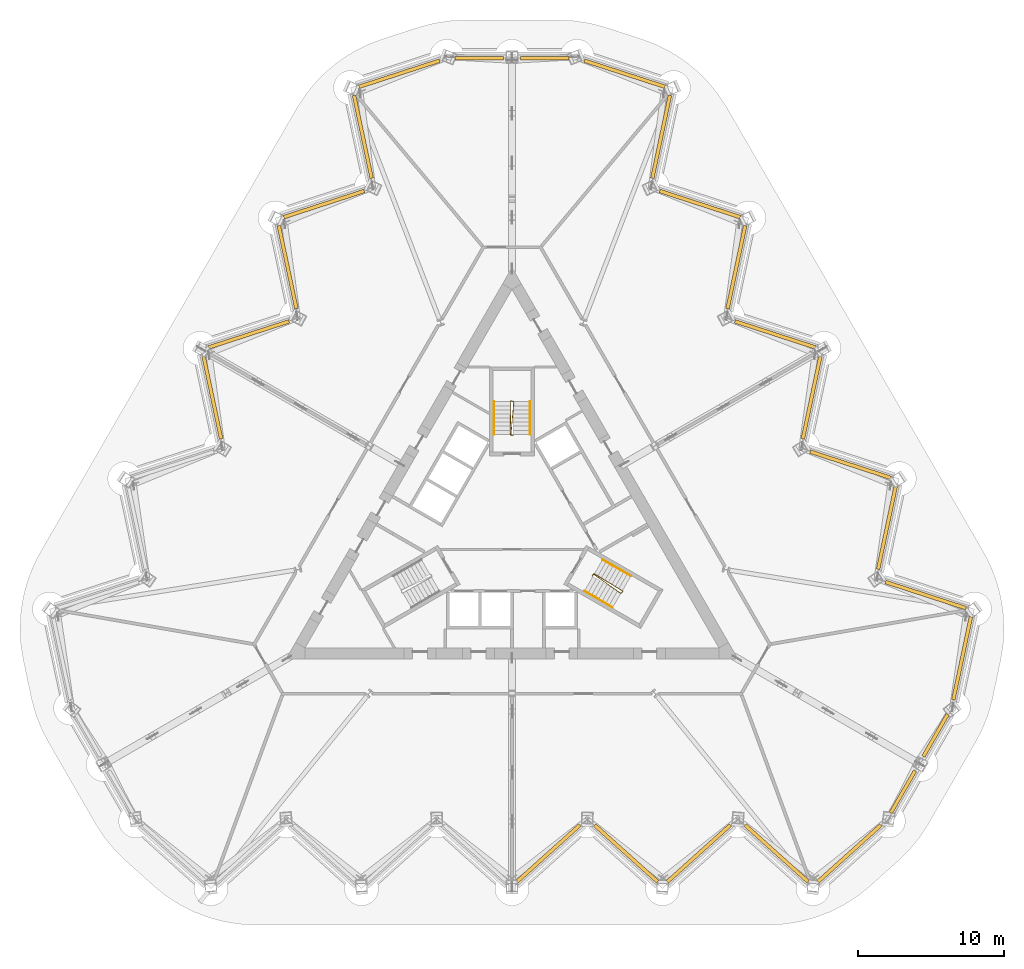
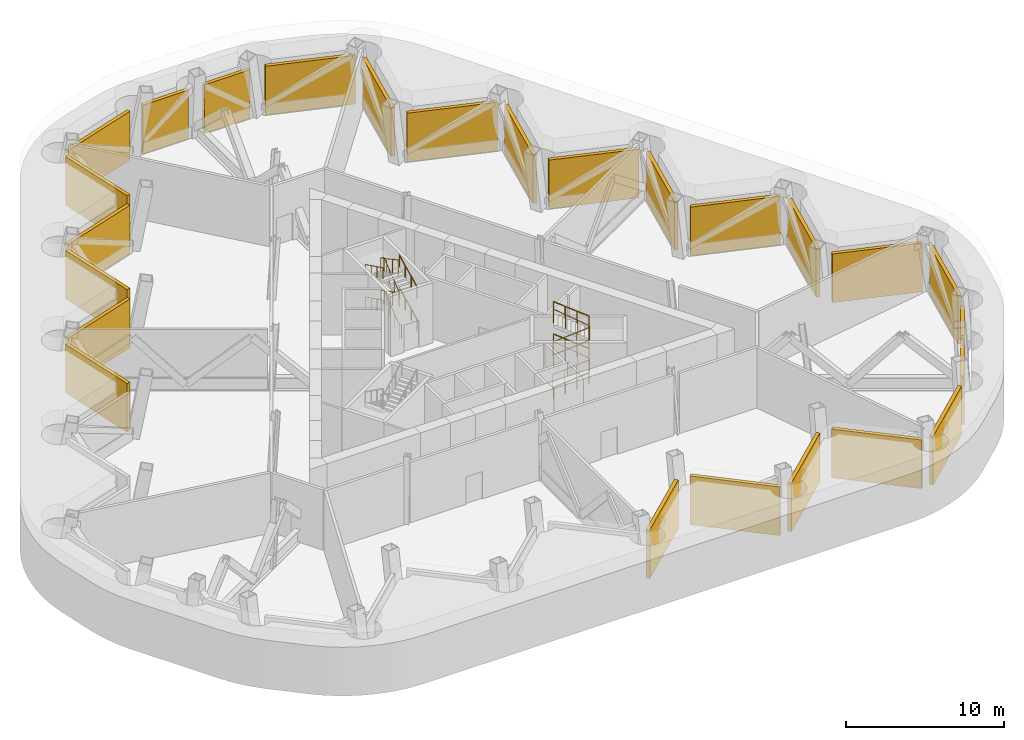
# One storey, part 13 of 13: 25 shading devices, 10 railings.
"""IFC4 building model written with IfcOpenShell, lengths in metres."""

from ifc_helpers import new_model, si_unit, direction, frame, origin, origin_2d, place, context, subcontext, project, spatial, rectangle, circle, extrude, material, layer, layer_set, type_object, element, save


model = new_model("IFC4")

# Units and contexts
model_context = context("Model", 3, precision=1e-05, world=origin(), true_north=direction((0.0, 1.0)))
body_context = subcontext(model_context, "Body", "Model", "MODEL_VIEW")
ifc_project = project(units=[si_unit("LENGTHUNIT", "METRE"), si_unit("AREAUNIT", "SQUARE_METRE"), si_unit("VOLUMEUNIT", "CUBIC_METRE"), si_unit("PLANEANGLEUNIT", "RADIAN"), si_unit("MASSUNIT", "GRAM", prefix="KILO")], contexts=[model_context])

# Site, building, storey
site_placement = place(None, origin())
site = spatial("IfcSite", under=ifc_project, at=site_placement, CompositionType="ELEMENT")
building_placement = place(site_placement, origin())
building = spatial("IfcBuilding", under=site, at=building_placement, Name="Cormorant Prow Tower", CompositionType="ELEMENT")
storey_placement = place(building_placement, frame((0.0, 0.0, 226.0)))
storey = spatial("IfcBuildingStorey", under=building, at=storey_placement, Name="L49", CompositionType="ELEMENT", Elevation=226.0)

# Shading devices
ifc_material_1 = material(Name="Aluminium 6063-T6", Category="aluminium")
ifc_layer_1 = layer(ifc_material_1, 0.25)
ifc_layer_set_1 = layer_set([ifc_layer_1], Name="Aluminium 6063-T6")
shading_device_type_1 = type_object("IfcShadingDeviceType", Name="Plant storey louvre panel 3334x250x3750", PredefinedType="USERDEFINED", material=ifc_layer_set_1)
for number, where, z_axis, x_axis, name in (
    (1, (26.8330078125, -18.072998046875, 0.0), (0.0, 0.0, 1.0), (0.499999904851, 0.866025458719, 0.0), "Plant storey louvre ESE00"),
    (2, (29.068115234375, -14.201416015625, 0.0), (0.0, 0.0, 1.0), (0.500000001708, 0.866025402798, 0.0), "Plant storey louvre ESE01"),
    (3, (2.235107421875, 32.2744140625, 0.0), (0.0, 0.0, 1.0), (-1.0, 0.0, 0.0), "Plant storey louvre N00"),
    (4, (-2.235107421875, 32.2744140625, 0.0), (0.0, 0.0, 1.0), (-1.0, 0.0, 0.0), "Plant storey louvre N01"),
):
    element("IfcShadingDevice", number, at=place(storey_placement, frame(where, z_axis=z_axis, x_axis=x_axis)), inside=storey, type_object=shading_device_type_1, Name=name, ObjectType="LOUVRE", PredefinedType="USERDEFINED", context=body_context, shape_type="SweptSolid", body=[
        extrude(rectangle(XDim=3.33447265625, YDim=0.25, at=origin_2d()), origin(), (0.0, 0.0, 1.0), 3.75),
    ])
ifc_material_2 = material(Name="Aluminium 6063-T6", Category="aluminium")
ifc_layer_2 = layer(ifc_material_2, 0.25)
ifc_layer_set_2 = layer_set([ifc_layer_2], Name="Aluminium 6063-T6")
shading_device_type_2 = type_object("IfcShadingDeviceType", Name="Plant storey louvre panel 5814x250x3750", PredefinedType="USERDEFINED", material=ifc_layer_set_2)
for number, where, z_axis, x_axis, name in (
    (5, (2.498779296875, -22.303466796875, 0.0), (0.0, 0.0, 1.0), (0.743144823679, 0.669130608356, 0.0), "Plant storey louvre S05"),
    (6, (7.830810546875, -22.303466796875, 0.0), (0.0, 0.0, 1.0), (0.743144888098, -0.669130536812, 0.0), "Plant storey louvre S06"),
    (7, (12.828125, -22.303466796875, 0.0), (0.0, 0.0, 1.0), (0.743144823679, 0.669130608356, 0.0), "Plant storey louvre S07"),
    (8, (18.16015625, -22.303466796875, 0.0), (0.0, 0.0, 1.0), (0.743144823679, -0.669130608356, 0.0), "Plant storey louvre S08"),
    (9, (23.157470703125, -22.303466796875, 0.0), (0.0, 0.0, 1.0), (0.743144888098, 0.669130536812, 0.0), "Plant storey louvre S09"),
    (10, (30.894287109375, -8.9033203125, 0.0), (0.0, 0.0, 1.0), (0.207911745465, 0.978147589118, 0.0), "Plant storey louvre ENE00"),
    (11, (28.3955078125, -4.575439453125, 0.0), (0.0, 0.0, 1.0), (-0.951056502294, 0.309017037466, 0.0), "Plant storey louvre ENE01"),
    (12, (25.7294921875, 0.042236328125, 0.0), (0.0, 0.0, 1.0), (0.207911607797, 0.97814761838, 0.0), "Plant storey louvre ENE02"),
    (13, (23.230712890625, 4.3701171875, 0.0), (0.0, 0.0, 1.0), (-0.951056544583, 0.309016907313, 0.0), "Plant storey louvre ENE03"),
    (14, (20.564697265625, 8.98779296875, 0.0), (0.0, 0.0, 1.0), (0.207911745465, 0.978147589118, 0.0), "Plant storey louvre ENE04"),
    (15, (18.066162109375, 13.315673828125, 0.0), (0.0, 0.0, 1.0), (-0.951056502294, 0.309017037466, 0.0), "Plant storey louvre ENE05"),
    (16, (15.400146484375, 17.933349609375, 0.0), (0.0, 0.0, 1.0), (0.207911745465, 0.978147589118, 0.0), "Plant storey louvre ENE06"),
    (17, (12.9013671875, 22.26123046875, 0.0), (0.0, 0.0, 1.0), (-0.951056544583, 0.309016907313, 0.0), "Plant storey louvre ENE07"),
    (18, (10.2353515625, 26.87890625, 0.0), (0.0, 0.0, 1.0), (0.207911607797, 0.97814761838, 0.0), "Plant storey louvre ENE08"),
    (19, (7.736572265625, 31.206787109375, 0.0), (0.0, 0.0, 1.0), (-0.951056502294, 0.309017037466, 0.0), "Plant storey louvre ENE09"),
    (20, (-7.736572265625, 31.206787109375, 0.0), (0.0, 0.0, 1.0), (-0.951056502294, -0.309017037466, 0.0), "Plant storey louvre WNW00"),
    (21, (-10.2353515625, 26.87890625, 0.0), (0.0, 0.0, 1.0), (0.207911607797, -0.97814761838, 0.0), "Plant storey louvre WNW01"),
    (22, (-12.9013671875, 22.26123046875, 0.0), (0.0, 0.0, 1.0), (-0.951056544583, -0.309016907313, 0.0), "Plant storey louvre WNW02"),
    (23, (-15.400146484375, 17.933349609375, 0.0), (0.0, 0.0, 1.0), (0.207911745465, -0.978147589118, 0.0), "Plant storey louvre WNW03"),
    (24, (-18.066162109375, 13.315673828125, 0.0), (0.0, 0.0, 1.0), (-0.951056502294, -0.309017037466, 0.0), "Plant storey louvre WNW04"),
    (25, (-20.564697265625, 8.98779296875, 0.0), (0.0, 0.0, 1.0), (0.207911745465, -0.978147589118, 0.0), "Plant storey louvre WNW05"),
):
    element("IfcShadingDevice", number, at=place(storey_placement, frame(where, z_axis=z_axis, x_axis=x_axis)), inside=storey, type_object=shading_device_type_2, Name=name, ObjectType="LOUVRE", PredefinedType="USERDEFINED", context=body_context, shape_type="SweptSolid", body=[
        extrude(rectangle(XDim=5.813720703125, YDim=0.25, at=origin_2d()), origin(), (0.0, 0.0, 1.0), 3.75),
    ])

# Railings
ifc_material_3 = material(Name="Stainless steel", Category="steel")
railing_type_1 = type_object("IfcRailingType", Name="Stair guard 1100", PredefinedType="GUARDRAIL", material=ifc_material_3)
railing_1_placement = place(storey_placement, frame((5.510009765625, -3.267822265625, 0.0)))
element("IfcRailing", 26, at=railing_1_placement, inside=storey, type_object=railing_type_1, Name="L49 ST2 stair guard 1", PredefinedType="GUARDRAIL", context=body_context, shape_type="SweptSolid", body=[
    extrude(circle(Radius=0.02392578125, at=origin_2d()), frame((0.0, 0.0, 1.076171875), z_axis=(0.501036270542, 0.865426285481, 0.0), x_axis=(-0.865426285481, 0.501036270542, 0.0)), (0.0, 0.0, 1.0), 0.150146484375),
    extrude(circle(Radius=0.02392578125, at=origin_2d()), frame((0.0751953125, 0.1298828125, 1.076171875), z_axis=(0.719698049427, -0.503779303625, 0.477745885267), x_axis=(0.573455215813, 0.819236910458, 0.0)), (0.0, 0.0, 1.0), 2.616455078125),
    extrude(circle(Radius=0.02392578125, at=origin_2d()), frame((1.958251953125, -1.188232421875, 2.326171875), z_axis=(0.695164929852, 0.718850276695, 0.0), x_axis=(-0.718850276695, 0.695164929852, 0.0)), (0.0, 0.0, 1.0), 0.2060546875),
    extrude(circle(Radius=0.02392578125, at=origin_2d()), frame((2.1015625, -1.0400390625, 2.326171875), z_axis=(-0.750450779969, 0.45536017281, 0.479031042693), x_axis=(-0.518752825935, -0.854924268918, 0.0)), (0.0, 0.0, 1.0), 2.609375),
    extrude(circle(Radius=0.02392578125, at=origin_2d()), frame((0.143310546875, 0.148193359375, 3.576171875), z_axis=(-0.965715946433, -0.259601060869, 0.0), x_axis=(0.259601060869, -0.965715946433, 0.0)), (0.0, 0.0, 1.0), 0.070556640625),
    extrude(circle(Radius=0.02392578125, at=origin_2d()), frame((0.0751953125, 0.1298828125, 3.576171875), z_axis=(0.719698049427, -0.503779303625, 0.477745885267), x_axis=(0.573455215813, 0.819236910458, 0.0)), (0.0, 0.0, 1.0), 2.616455078125),
    extrude(circle(Radius=0.02392578125, at=origin_2d()), frame((1.958251953125, -1.188232421875, 4.826171875), z_axis=(0.695164929852, 0.718850276695, 0.0), x_axis=(-0.718850276695, 0.695164929852, 0.0)), (0.0, 0.0, 1.0), 0.2060546875),
    extrude(circle(Radius=0.02392578125, at=origin_2d()), frame((2.1015625, -1.0400390625, 4.826171875), z_axis=(-0.750450779969, 0.45536017281, 0.479031042693), x_axis=(-0.518752825935, -0.854924268918, 0.0)), (0.0, 0.0, 1.0), 2.609375),
    extrude(circle(Radius=0.02099609375, at=origin_2d()), origin(), (0.0, 0.0, 1.0), 1.052001953125),
    extrude(circle(Radius=0.02099609375, at=origin_2d()), frame((0.0751953125, 0.1298828125, 0.0)), (0.0, 0.0, 1.0), 1.052001953125),
    extrude(circle(Radius=0.02099609375, at=origin_2d()), frame((0.702880859375, -0.3095703125, 0.416748046875)), (0.0, 0.0, 1.0), 1.052001953125),
    extrude(circle(Radius=0.02099609375, at=origin_2d()), frame((1.33056640625, -0.748779296875, 0.833251953125)), (0.0, 0.0, 1.0), 1.052001953125),
    extrude(circle(Radius=0.02099609375, at=origin_2d()), frame((1.958251953125, -1.188232421875, 1.25)), (0.0, 0.0, 1.0), 1.052001953125),
    extrude(circle(Radius=0.02099609375, at=origin_2d()), frame((2.1015625, -1.0400390625, 1.25)), (0.0, 0.0, 1.0), 1.052001953125),
    extrude(circle(Radius=0.02099609375, at=origin_2d()), frame((1.44873046875, -0.64404296875, 1.666748046875)), (0.0, 0.0, 1.0), 1.052001953125),
    extrude(circle(Radius=0.02099609375, at=origin_2d()), frame((0.796142578125, -0.247802734375, 2.083251953125)), (0.0, 0.0, 1.0), 1.052001953125),
    extrude(circle(Radius=0.02099609375, at=origin_2d()), frame((0.143310546875, 0.148193359375, 2.5)), (0.0, 0.0, 1.0), 1.052001953125),
    extrude(circle(Radius=0.02099609375, at=origin_2d()), frame((0.0751953125, 0.1298828125, 2.5)), (0.0, 0.0, 1.0), 1.052001953125),
    extrude(circle(Radius=0.02099609375, at=origin_2d()), frame((0.702880859375, -0.3095703125, 2.916748046875)), (0.0, 0.0, 1.0), 1.052001953125),
    extrude(circle(Radius=0.02099609375, at=origin_2d()), frame((1.33056640625, -0.748779296875, 3.333251953125)), (0.0, 0.0, 1.0), 1.052001953125),
    extrude(circle(Radius=0.02099609375, at=origin_2d()), frame((1.958251953125, -1.188232421875, 3.75)), (0.0, 0.0, 1.0), 1.052001953125),
    extrude(circle(Radius=0.02099609375, at=origin_2d()), frame((2.1015625, -1.0400390625, 3.75)), (0.0, 0.0, 1.0), 1.052001953125),
    extrude(circle(Radius=0.02099609375, at=origin_2d()), frame((1.44873046875, -0.64404296875, 4.166748046875)), (0.0, 0.0, 1.0), 1.052001953125),
    extrude(circle(Radius=0.02099609375, at=origin_2d()), frame((0.796142578125, -0.247802734375, 4.583251953125)), (0.0, 0.0, 1.0), 1.052001953125),
    extrude(circle(Radius=0.02099609375, at=origin_2d()), frame((0.143310546875, 0.148193359375, 5.0)), (0.0, 0.0, 1.0), 1.052001953125),
])
railing_2_placement = place(storey_placement, frame((0.074951171875, 6.40576171875, 0.0)))
element("IfcRailing", 27, at=railing_2_placement, inside=storey, type_object=railing_type_1, Name="L49 ST3 stair guard 1", PredefinedType="GUARDRAIL", context=body_context, shape_type="SweptSolid", body=[
    extrude(circle(Radius=0.02392578125, at=origin_2d()), frame((0.0, 0.0, 1.076171875), z_axis=(-1.0, 0.0, 0.0), x_axis=(0.0, -1.0, 0.0)), (0.0, 0.0, 1.0), 0.14990234375),
    extrude(circle(Radius=0.02392578125, at=origin_2d()), frame((-0.14990234375, 0.0, 1.076171875), z_axis=(0.07641549331, 0.87518599176, 0.477713462453), x_axis=(-0.996209839609, 0.086982500921, 0.0)), (0.0, 0.0, 1.0), 2.61669921875),
    extrude(circle(Radius=0.02392578125, at=origin_2d()), frame((0.050048828125, 2.2900390625, 2.326171875), z_axis=(-0.970072785993, 0.242814311512, 0.0), x_axis=(-0.242814311512, -0.970072785993, 0.0)), (0.0, 0.0, 1.0), 0.2060546875),
    extrude(circle(Radius=0.02392578125, at=origin_2d()), frame((-0.14990234375, 2.340087890625, 2.326171875), z_axis=(-0.019179761202, -0.877591024776, 0.479026231008), x_axis=(0.999761264773, -0.0218497931, 0.0)), (0.0, 0.0, 1.0), 2.609375),
    extrude(circle(Radius=0.02392578125, at=origin_2d()), frame((-0.199951171875, 0.050048828125, 3.576171875), z_axis=(0.707106781187, -0.707106781187, 0.0), x_axis=(0.707106781187, 0.707106781187, 0.0)), (0.0, 0.0, 1.0), 0.07080078125),
    extrude(circle(Radius=0.02392578125, at=origin_2d()), frame((-0.14990234375, 0.0, 3.576171875), z_axis=(0.07641549331, 0.87518599176, 0.477713462453), x_axis=(-0.996209839609, 0.086982500921, 0.0)), (0.0, 0.0, 1.0), 2.61669921875),
    extrude(circle(Radius=0.02392578125, at=origin_2d()), frame((0.050048828125, 2.2900390625, 4.826171875), z_axis=(-0.970072785993, 0.242814311512, 0.0), x_axis=(-0.242814311512, -0.970072785993, 0.0)), (0.0, 0.0, 1.0), 0.2060546875),
    extrude(circle(Radius=0.02392578125, at=origin_2d()), frame((-0.14990234375, 2.340087890625, 4.826171875), z_axis=(-0.019179761202, -0.877591024776, 0.479026231008), x_axis=(0.999761264773, -0.0218497931, 0.0)), (0.0, 0.0, 1.0), 2.609375),
    extrude(circle(Radius=0.02099609375, at=origin_2d()), origin(), (0.0, 0.0, 1.0), 1.052001953125),
    extrude(circle(Radius=0.02099609375, at=origin_2d()), frame((-0.14990234375, 0.0, 0.0)), (0.0, 0.0, 1.0), 1.052001953125),
    extrude(circle(Radius=0.02099609375, at=origin_2d()), frame((-0.083251953125, 0.763427734375, 0.416748046875)), (0.0, 0.0, 1.0), 1.052001953125),
    extrude(circle(Radius=0.02099609375, at=origin_2d()), frame((-0.0166015625, 1.526611328125, 0.833251953125)), (0.0, 0.0, 1.0), 1.052001953125),
    extrude(circle(Radius=0.02099609375, at=origin_2d()), frame((0.050048828125, 2.2900390625, 1.25)), (0.0, 0.0, 1.0), 1.052001953125),
    extrude(circle(Radius=0.02099609375, at=origin_2d()), frame((-0.14990234375, 2.340087890625, 1.25)), (0.0, 0.0, 1.0), 1.052001953125),
    extrude(circle(Radius=0.02099609375, at=origin_2d()), frame((-0.16650390625, 1.57666015625, 1.666748046875)), (0.0, 0.0, 1.0), 1.052001953125),
    extrude(circle(Radius=0.02099609375, at=origin_2d()), frame((-0.183349609375, 0.8134765625, 2.083251953125)), (0.0, 0.0, 1.0), 1.052001953125),
    extrude(circle(Radius=0.02099609375, at=origin_2d()), frame((-0.199951171875, 0.050048828125, 2.5)), (0.0, 0.0, 1.0), 1.052001953125),
    extrude(circle(Radius=0.02099609375, at=origin_2d()), frame((-0.14990234375, 0.0, 2.5)), (0.0, 0.0, 1.0), 1.052001953125),
    extrude(circle(Radius=0.02099609375, at=origin_2d()), frame((-0.083251953125, 0.763427734375, 2.916748046875)), (0.0, 0.0, 1.0), 1.052001953125),
    extrude(circle(Radius=0.02099609375, at=origin_2d()), frame((-0.0166015625, 1.526611328125, 3.333251953125)), (0.0, 0.0, 1.0), 1.052001953125),
    extrude(circle(Radius=0.02099609375, at=origin_2d()), frame((0.050048828125, 2.2900390625, 3.75)), (0.0, 0.0, 1.0), 1.052001953125),
    extrude(circle(Radius=0.02099609375, at=origin_2d()), frame((-0.14990234375, 2.340087890625, 3.75)), (0.0, 0.0, 1.0), 1.052001953125),
    extrude(circle(Radius=0.02099609375, at=origin_2d()), frame((-0.16650390625, 1.57666015625, 4.166748046875)), (0.0, 0.0, 1.0), 1.052001953125),
    extrude(circle(Radius=0.02099609375, at=origin_2d()), frame((-0.183349609375, 0.8134765625, 4.583251953125)), (0.0, 0.0, 1.0), 1.052001953125),
    extrude(circle(Radius=0.02099609375, at=origin_2d()), frame((-0.199951171875, 0.050048828125, 5.0)), (0.0, 0.0, 1.0), 1.052001953125),
])
ifc_material_4 = material(Name="Stainless steel", Category="steel")
railing_type_2 = type_object("IfcRailingType", Name="Stair handrail 900", PredefinedType="HANDRAIL", material=ifc_material_4)
railing_3_placement = place(storey_placement, frame((4.968994140625, -4.30517578125, 0.138916015625)))
element("IfcRailing", 28, at=railing_3_placement, inside=storey, type_object=railing_type_2, Name="L49 ST2 stair handrail 1", PredefinedType="HANDRAIL", context=body_context, shape_type="SweptSolid", body=[
    extrude(circle(Radius=0.02392578125, at=origin_2d()), frame((0.0, 0.0, 0.8759765625), z_axis=(0.775779884805, -0.447989693075, 0.44437687297), x_axis=(0.500077830873, 0.865980463445, 0.0)), (0.0, 0.0, 1.0), 2.500244140625),
    extrude(circle(Radius=0.02099609375, at=origin_2d()), origin(), (0.0, 0.0, 1.0), 0.851806640625),
    extrude(circle(Radius=0.02099609375, at=origin_2d()), frame((0.646484375, -0.373291015625, 0.370361328125)), (0.0, 0.0, 1.0), 0.851806640625),
    extrude(circle(Radius=0.02099609375, at=origin_2d()), frame((1.293212890625, -0.746826171875, 0.74072265625)), (0.0, 0.0, 1.0), 0.851806640625),
    extrude(circle(Radius=0.02099609375, at=origin_2d()), frame((1.939697265625, -1.1201171875, 1.111083984375)), (0.0, 0.0, 1.0), 0.851806640625),
])
railing_4_placement = place(storey_placement, frame((8.15283203125, -3.2705078125, 1.388916015625)))
element("IfcRailing", 29, at=railing_4_placement, inside=storey, type_object=railing_type_2, Name="L49 ST2 stair handrail 2", PredefinedType="HANDRAIL", context=body_context, shape_type="SweptSolid", body=[
    extrude(circle(Radius=0.02392578125, at=origin_2d()), frame((0.0, 0.0, 0.8759765625), z_axis=(-0.775852689126, 0.447877710172, 0.44436264639), x_axis=(-0.49994888933, -0.866054910533, 0.0)), (0.0, 0.0, 1.0), 2.50048828125),
    extrude(circle(Radius=0.02099609375, at=origin_2d()), origin(), (0.0, 0.0, 1.0), 0.851806640625),
    extrude(circle(Radius=0.02099609375, at=origin_2d()), frame((-0.646728515625, 0.373291015625, 0.370361328125)), (0.0, 0.0, 1.0), 0.851806640625),
    extrude(circle(Radius=0.02099609375, at=origin_2d()), frame((-1.293212890625, 0.74658203125, 0.74072265625)), (0.0, 0.0, 1.0), 0.851806640625),
    extrude(circle(Radius=0.02099609375, at=origin_2d()), frame((-1.93994140625, 1.119873046875, 1.111083984375)), (0.0, 0.0, 1.0), 0.851806640625),
])
railing_5_placement = place(storey_placement, frame((4.968994140625, -4.30517578125, 2.638916015625)))
element("IfcRailing", 30, at=railing_5_placement, inside=storey, type_object=railing_type_2, Name="L49 ST2 stair handrail 3", PredefinedType="HANDRAIL", context=body_context, shape_type="SweptSolid", body=[
    extrude(circle(Radius=0.02392578125, at=origin_2d()), frame((0.0, 0.0, 0.8759765625), z_axis=(0.775779884805, -0.447989693075, 0.44437687297), x_axis=(0.500077830873, 0.865980463445, 0.0)), (0.0, 0.0, 1.0), 2.500244140625),
    extrude(circle(Radius=0.02099609375, at=origin_2d()), origin(), (0.0, 0.0, 1.0), 0.851806640625),
    extrude(circle(Radius=0.02099609375, at=origin_2d()), frame((0.646484375, -0.373291015625, 0.370361328125)), (0.0, 0.0, 1.0), 0.851806640625),
    extrude(circle(Radius=0.02099609375, at=origin_2d()), frame((1.293212890625, -0.746826171875, 0.74072265625)), (0.0, 0.0, 1.0), 0.851806640625),
    extrude(circle(Radius=0.02099609375, at=origin_2d()), frame((1.939697265625, -1.1201171875, 1.111083984375)), (0.0, 0.0, 1.0), 0.851806640625),
])
railing_6_placement = place(storey_placement, frame((8.15283203125, -3.2705078125, 3.888916015625)))
element("IfcRailing", 31, at=railing_6_placement, inside=storey, type_object=railing_type_2, Name="L49 ST2 stair handrail 4", PredefinedType="HANDRAIL", context=body_context, shape_type="SweptSolid", body=[
    extrude(circle(Radius=0.02392578125, at=origin_2d()), frame((0.0, 0.0, 0.8759765625), z_axis=(-0.775852689126, 0.447877710172, 0.44436264639), x_axis=(-0.49994888933, -0.866054910533, 0.0)), (0.0, 0.0, 1.0), 2.50048828125),
    extrude(circle(Radius=0.02099609375, at=origin_2d()), origin(), (0.0, 0.0, 1.0), 0.851806640625),
    extrude(circle(Radius=0.02099609375, at=origin_2d()), frame((-0.646728515625, 0.373291015625, 0.370361328125)), (0.0, 0.0, 1.0), 0.851806640625),
    extrude(circle(Radius=0.02099609375, at=origin_2d()), frame((-1.293212890625, 0.74658203125, 0.74072265625)), (0.0, 0.0, 1.0), 0.851806640625),
    extrude(circle(Radius=0.02099609375, at=origin_2d()), frame((-1.93994140625, 1.119873046875, 1.111083984375)), (0.0, 0.0, 1.0), 0.851806640625),
])
railing_7_placement = place(storey_placement, frame((1.243896484375, 6.455810546875, 0.138916015625)))
element("IfcRailing", 32, at=railing_7_placement, inside=storey, type_object=railing_type_2, Name="L49 ST3 stair handrail 1", PredefinedType="HANDRAIL", context=body_context, shape_type="SweptSolid", body=[
    extrude(circle(Radius=0.02392578125, at=origin_2d()), frame((0.0, 0.0, 0.8759765625), z_axis=(0.0, 0.895848192791, 0.444360231651), x_axis=(-1.0, 0.0, 0.0)), (0.0, 0.0, 1.0), 2.50048828125),
    extrude(circle(Radius=0.02099609375, at=origin_2d()), origin(), (0.0, 0.0, 1.0), 0.851806640625),
    extrude(circle(Radius=0.02099609375, at=origin_2d()), frame((0.0, 0.74658203125, 0.370361328125)), (0.0, 0.0, 1.0), 0.851806640625),
    extrude(circle(Radius=0.02099609375, at=origin_2d()), frame((0.0, 1.493408203125, 0.74072265625)), (0.0, 0.0, 1.0), 0.851806640625),
    extrude(circle(Radius=0.02099609375, at=origin_2d()), frame((0.0, 2.239990234375, 1.111083984375)), (0.0, 0.0, 1.0), 0.851806640625),
])
railing_8_placement = place(storey_placement, frame((-1.243896484375, 8.69580078125, 1.388916015625)))
element("IfcRailing", 33, at=railing_8_placement, inside=storey, type_object=railing_type_2, Name="L49 ST3 stair handrail 2", PredefinedType="HANDRAIL", context=body_context, shape_type="SweptSolid", body=[
    extrude(circle(Radius=0.02392578125, at=origin_2d()), frame((0.0, 0.0, 0.8759765625), z_axis=(0.0, -0.895848192791, 0.444360231651), x_axis=(1.0, 0.0, 0.0)), (0.0, 0.0, 1.0), 2.50048828125),
    extrude(circle(Radius=0.02099609375, at=origin_2d()), origin(), (0.0, 0.0, 1.0), 0.851806640625),
    extrude(circle(Radius=0.02099609375, at=origin_2d()), frame((0.0, -0.74658203125, 0.370361328125)), (0.0, 0.0, 1.0), 0.851806640625),
    extrude(circle(Radius=0.02099609375, at=origin_2d()), frame((0.0, -1.493408203125, 0.74072265625)), (0.0, 0.0, 1.0), 0.851806640625),
    extrude(circle(Radius=0.02099609375, at=origin_2d()), frame((0.0, -2.239990234375, 1.111083984375)), (0.0, 0.0, 1.0), 0.851806640625),
])
railing_9_placement = place(storey_placement, frame((1.243896484375, 6.455810546875, 2.638916015625)))
element("IfcRailing", 34, at=railing_9_placement, inside=storey, type_object=railing_type_2, Name="L49 ST3 stair handrail 3", PredefinedType="HANDRAIL", context=body_context, shape_type="SweptSolid", body=[
    extrude(circle(Radius=0.02392578125, at=origin_2d()), frame((0.0, 0.0, 0.8759765625), z_axis=(0.0, 0.895848192791, 0.444360231651), x_axis=(-1.0, 0.0, 0.0)), (0.0, 0.0, 1.0), 2.50048828125),
    extrude(circle(Radius=0.02099609375, at=origin_2d()), origin(), (0.0, 0.0, 1.0), 0.851806640625),
    extrude(circle(Radius=0.02099609375, at=origin_2d()), frame((0.0, 0.74658203125, 0.370361328125)), (0.0, 0.0, 1.0), 0.851806640625),
    extrude(circle(Radius=0.02099609375, at=origin_2d()), frame((0.0, 1.493408203125, 0.74072265625)), (0.0, 0.0, 1.0), 0.851806640625),
    extrude(circle(Radius=0.02099609375, at=origin_2d()), frame((0.0, 2.239990234375, 1.111083984375)), (0.0, 0.0, 1.0), 0.851806640625),
])
railing_10_placement = place(storey_placement, frame((-1.243896484375, 8.69580078125, 3.888916015625)))
element("IfcRailing", 35, at=railing_10_placement, inside=storey, type_object=railing_type_2, Name="L49 ST3 stair handrail 4", PredefinedType="HANDRAIL", context=body_context, shape_type="SweptSolid", body=[
    extrude(circle(Radius=0.02392578125, at=origin_2d()), frame((0.0, 0.0, 0.8759765625), z_axis=(0.0, -0.895848192791, 0.444360231651), x_axis=(1.0, 0.0, 0.0)), (0.0, 0.0, 1.0), 2.50048828125),
    extrude(circle(Radius=0.02099609375, at=origin_2d()), origin(), (0.0, 0.0, 1.0), 0.851806640625),
    extrude(circle(Radius=0.02099609375, at=origin_2d()), frame((0.0, -0.74658203125, 0.370361328125)), (0.0, 0.0, 1.0), 0.851806640625),
    extrude(circle(Radius=0.02099609375, at=origin_2d()), frame((0.0, -1.493408203125, 0.74072265625)), (0.0, 0.0, 1.0), 0.851806640625),
    extrude(circle(Radius=0.02099609375, at=origin_2d()), frame((0.0, -2.239990234375, 1.111083984375)), (0.0, 0.0, 1.0), 0.851806640625),
])

save(model, "model.ifc")
